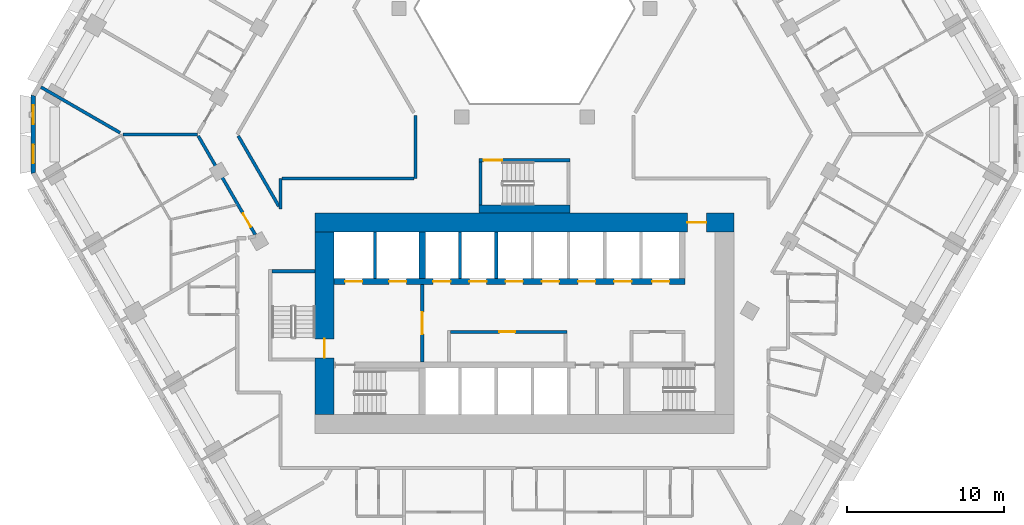
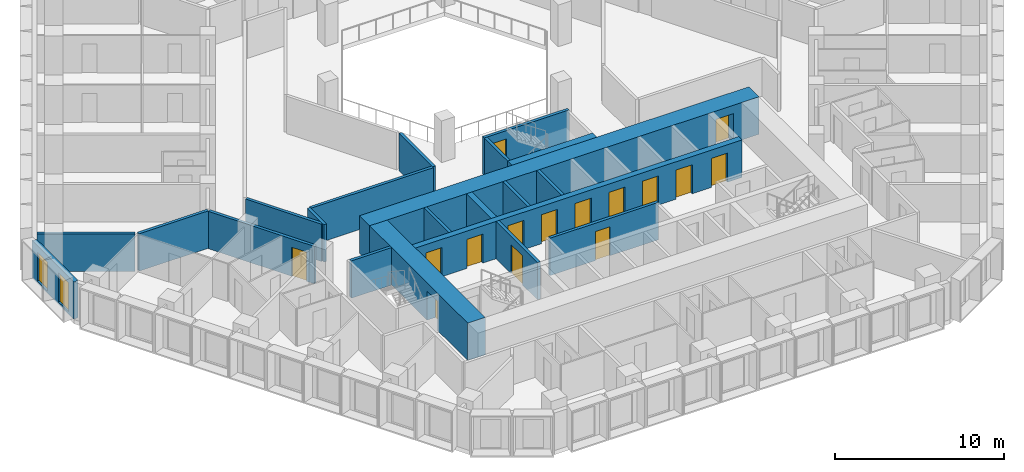
# One storey, part 5 of 21: 21 walls, 15 doors, 2 windows, 17 openings.
"""IFC4 building model written with IfcOpenShell, lengths in metres."""

from ifc_helpers import new_model, si_unit, direction, frame, frame_2d, origin, place, context, subcontext, project, spatial, polyline, rectangle, outline, extrude, material, layer, layer_set, type_object, element, fill, save


model = new_model("IFC4")

# Units and contexts
model_context = context("Model", 3, precision=1e-05, world=origin(), true_north=direction((0.0, 1.0)))
body_context = subcontext(model_context, "Body", "Model", "MODEL_VIEW")
ifc_project = project(units=[si_unit("LENGTHUNIT", "METRE"), si_unit("AREAUNIT", "SQUARE_METRE"), si_unit("VOLUMEUNIT", "CUBIC_METRE"), si_unit("PLANEANGLEUNIT", "RADIAN"), si_unit("MASSUNIT", "GRAM", prefix="KILO")], contexts=[model_context])

# Site, building, storey
site_placement = place(None, origin())
site = spatial("IfcSite", under=ifc_project, at=site_placement, CompositionType="ELEMENT")
building_placement = place(site_placement, origin())
building = spatial("IfcBuilding", under=site, at=building_placement, Name="Beryl Residences", CompositionType="ELEMENT")
storey_placement = place(building_placement, frame((0.0, 0.0, 47.39990234375)))
storey = spatial("IfcBuildingStorey", under=building, at=storey_placement, Name="L14", CompositionType="ELEMENT", Elevation=47.39990234375)

# Wall, openings, windows
ifc_material_1 = material(Name="Composite metal panel with mineral wool insulation")
ifc_layer_1 = layer(ifc_material_1, 0.300048828125)
ifc_layer_set_1 = layer_set([ifc_layer_1], Name="ES1 pale metal composite panel wall 300 mm")
wall_type_1 = type_object("IfcWallType", Name="ES1 pale metal composite panel wall 300 mm", PredefinedType="SOLIDWALL", material=ifc_layer_set_1)
wall_1_placement = place(storey_placement, frame((-31.199951171875, 2.5, 0.0), z_axis=(0.0, 0.0, 1.0), x_axis=(0.0, -1.0, 0.0)))
wall_1 = element("IfcWall", 1, at=wall_1_placement, inside=storey, type_object=wall_type_1, Name="ES1 external wall L14 NW-SW", PredefinedType="SOLIDWALL", context=body_context, shape_type="SweptSolid", body=[
    extrude(outline(polyline([(0.0, -0.14990234375), (5.0, -0.14990234375), (4.919677734375, 0.14990234375), (0.080322265625, 0.14990234375), (0.0, -0.14990234375)])), origin(), (0.0, 0.0, 1.0), 2.7001953125),
])
opening_1_placement = place(wall_1_placement, frame((0.64990234375, 0.0, 0.14990234375)))
opening_1 = element("IfcOpeningElement", 2, at=opening_1_placement, cuts=wall_1, Name="Opening W2", PredefinedType="OPENING", context=body_context, shape_type="SweptSolid", body=[
    extrude(rectangle(XDim=1.199951171875, YDim=2.10009765625, at=frame_2d((0.60009765625, 1.050048828125))), frame((0.0, 0.159912109375, 0.0), z_axis=(0.0, -1.0, 0.0), x_axis=(1.0, 0.0, 0.0)), (0.0, 0.0, 1.0), 0.320068359375),
])
opening_2_placement = place(wall_1_placement, frame((3.14990234375, 0.0, 0.14990234375)))
opening_2 = element("IfcOpeningElement", 3, at=opening_2_placement, cuts=wall_1, Name="Opening W2", PredefinedType="OPENING", context=body_context, shape_type="SweptSolid", body=[
    extrude(rectangle(XDim=1.199951171875, YDim=2.10009765625, at=frame_2d((0.60009765625, 1.050048828125))), frame((0.0, 0.159912109375, 0.0), z_axis=(0.0, -1.0, 0.0), x_axis=(1.0, 0.0, 0.0)), (0.0, 0.0, 1.0), 0.320068359375),
])
ifc_material_2 = material(Name="Aluminium and clear glass", Category="aluminium")
window_type = type_object("IfcWindowType", Name="W2 chamfer window 1200 x 2100 mm", PartitioningType="SINGLE_PANEL", PredefinedType="WINDOW", material=ifc_material_2)
window_1_placement = place(opening_1_placement, origin())
window_1 = element("IfcWindow", 4, at=window_1_placement, inside=storey, type_object=window_type, Name="W2 window L14 NW-SW 1", OverallHeight=2.10009765625, OverallWidth=1.199951171875, PartitioningType="SINGLE_PANEL", PredefinedType="WINDOW", context=body_context, shape_type="SweptSolid", body=[
    extrude(rectangle(XDim=1.199951171875, YDim=2.10009765625, at=frame_2d((0.60009765625, 1.050048828125))), frame((0.0, 0.030029296875, 0.0), z_axis=(0.0, -1.0, 0.0), x_axis=(1.0, 0.0, 0.0)), (0.0, 0.0, 1.0), 0.06005859375),
])
fill(opening_1, window_1)
window_2_placement = place(opening_2_placement, origin())
window_2 = element("IfcWindow", 5, at=window_2_placement, inside=storey, type_object=window_type, Name="W2 window L14 NW-SW 2", OverallHeight=2.10009765625, OverallWidth=1.199951171875, PartitioningType="SINGLE_PANEL", PredefinedType="WINDOW", context=body_context, shape_type="SweptSolid", body=[
    extrude(rectangle(XDim=1.199951171875, YDim=2.10009765625, at=frame_2d((0.60009765625, 1.050048828125))), frame((0.0, 0.030029296875, 0.0), z_axis=(0.0, -1.0, 0.0), x_axis=(1.0, 0.0, 0.0)), (0.0, 0.0, 1.0), 0.06005859375),
])
fill(opening_2, window_2)

# Wall, opening, door
ifc_material_3 = material(Name="Concrete masonry", Category="masonry")
ifc_layer_2 = layer(ifc_material_3, 0.199951171875)
ifc_layer_set_2 = layer_set([ifc_layer_2], Name="PT13 lobby wall 200 mm")
wall_type_2 = type_object("IfcWallType", Name="PT13 lobby wall 200 mm", PredefinedType="PARTITIONING", material=ifc_layer_set_2)
wall_2_placement = place(storey_placement, frame((-6.5, -14.449951171875, 0.0), z_axis=(0.0, 0.0, 1.0), x_axis=(0.0, 1.0, 0.0)))
wall_2 = element("IfcWall", 6, at=wall_2_placement, inside=storey, type_object=wall_type_2, Name="Lobby wall 06", PredefinedType="PARTITIONING", context=body_context, shape_type="SweptSolid", body=[
    extrude(rectangle(XDim=4.89990234375, YDim=0.199951171875, at=frame_2d((2.449951171875, 0.0))), origin(), (0.0, 0.0, 1.0), 2.7001953125),
])
opening_3_placement = place(wall_2_placement, frame((3.14990234375, 0.0, 0.0), z_axis=(0.0, 0.0, 1.0), x_axis=(-1.0, 0.0, 0.0)))
opening_3 = element("IfcOpeningElement", 7, at=opening_3_placement, cuts=wall_2, Name="Opening FD-FFL", PredefinedType="OPENING", context=body_context, shape_type="SweptSolid", body=[
    extrude(rectangle(XDim=1.39990234375, YDim=2.10009765625, at=frame_2d((0.699951171875, 1.050048828125))), frame((0.0, 0.10986328125, 0.0), z_axis=(0.0, -1.0, 0.0), x_axis=(1.0, 0.0, 0.0)), (0.0, 0.0, 1.0), 0.219970703125),
])
ifc_material_4 = material(Name="Steel door leaf in steel frame", Category="steel")
door_type_1 = type_object("IfcDoorType", Name="D5 lobby door 1400 x 2100 mm", OperationType="DOUBLE_DOOR_SINGLE_SWING", PredefinedType="DOOR", material=ifc_material_4)
door_1_placement = place(opening_3_placement, origin())
door_1 = element("IfcDoor", 8, at=door_1_placement, inside=storey, type_object=door_type_1, Name="Door FD-FFL L14 001", OperationType="DOUBLE_DOOR_SINGLE_SWING", OverallHeight=2.10009765625, OverallWidth=1.39990234375, PredefinedType="DOOR", context=body_context, shape_type="SweptSolid", body=[
    extrude(rectangle(XDim=1.39990234375, YDim=2.10009765625, at=frame_2d((0.699951171875, 1.050048828125))), frame((0.0, 0.02490234375, 0.0), z_axis=(0.0, -1.0, 0.0), x_axis=(1.0, 0.0, 0.0)), (0.0, 0.0, 1.0), 0.050048828125),
])
fill(opening_3, door_1)

wall_3_placement = place(storey_placement, frame((-4.699951171875, -12.550048828125, 0.0), z_axis=(0.0, 0.0, 1.0), x_axis=(1.0, 0.0, 0.0)))
wall_3 = element("IfcWall", 9, at=wall_3_placement, inside=storey, type_object=wall_type_2, Name="Lobby wall 08", PredefinedType="PARTITIONING", context=body_context, shape_type="SweptSolid", body=[
    extrude(rectangle(XDim=7.39990234375, YDim=0.199951171875, at=frame_2d((3.699951171875, 0.0))), origin(), (0.0, 0.0, 1.0), 2.7001953125),
])
opening_4_placement = place(wall_3_placement, frame((4.10009765625, 0.0, 0.0), z_axis=(0.0, 0.0, 1.0), x_axis=(-1.0, 0.0, 0.0)))
opening_4 = element("IfcOpeningElement", 10, at=opening_4_placement, cuts=wall_3, Name="Opening CD-D-A1", PredefinedType="OPENING", context=body_context, shape_type="SweptSolid", body=[
    extrude(rectangle(XDim=1.0, YDim=2.10009765625, at=frame_2d((0.5, 1.050048828125))), frame((0.0, 0.10986328125, 0.0), z_axis=(0.0, -1.0, 0.0), x_axis=(1.0, 0.0, 0.0)), (0.0, 0.0, 1.0), 0.219970703125),
])
ifc_material_5 = material(Name="Steel door leaf in steel frame", Category="steel")
door_type_2 = type_object("IfcDoorType", Name="D18 service room door 1000 x 2100 mm", OperationType="SINGLE_SWING_LEFT", PredefinedType="DOOR", material=ifc_material_5)
door_2_placement = place(opening_4_placement, origin())
door_2 = element("IfcDoor", 11, at=door_2_placement, inside=storey, type_object=door_type_2, Name="Door CD-D-A1 L14 001", OperationType="SINGLE_SWING_RIGHT", OverallHeight=2.10009765625, OverallWidth=1.0, PredefinedType="DOOR", context=body_context, shape_type="SweptSolid", body=[
    extrude(rectangle(XDim=1.0, YDim=2.10009765625, at=frame_2d((0.5, 1.050048828125))), frame((0.0, 0.02490234375, 0.0), z_axis=(0.0, -1.0, 0.0), x_axis=(1.0, 0.0, 0.0)), (0.0, 0.0, 1.0), 0.050048828125),
])
fill(opening_4, door_2)

# Walls
ifc_material_6 = material(Name="Acoustic double stud gypsum board wall")
ifc_layer_3 = layer(ifc_material_6, 0.199951171875)
ifc_layer_set_3 = layer_set([ifc_layer_3], Name="PT3 party wall 200 mm acoustic double stud")
wall_type_3 = type_object("IfcWallType", Name="PT3 party wall 200 mm acoustic double stud", PredefinedType="PARTITIONING", material=ifc_layer_set_3)
wall_4_placement = place(storey_placement, frame((-30.716064453125, 2.9990234375, 0.0), z_axis=(0.0, 0.0, 1.0), x_axis=(0.866032775405, -0.499987231761, 0.0)))
element("IfcWall", 12, at=wall_4_placement, inside=storey, type_object=wall_type_3, Name="Wall PT3 L14 009", PredefinedType="PARTITIONING", context=body_context, shape_type="SweptSolid", body=[
    extrude(rectangle(XDim=5.800048828125, YDim=0.199951171875, at=frame_2d((2.89990234375, 0.0))), origin(), (0.0, 0.0, 1.0), 2.7001953125),
])
wall_5_placement = place(storey_placement, frame((-25.52001953125, -0.0009765625, 0.0), z_axis=(0.0, 0.0, 1.0), x_axis=(1.0, 0.0, 0.0)))
element("IfcWall", 13, at=wall_5_placement, inside=storey, type_object=wall_type_3, Name="Wall PT3 L14 014", PredefinedType="PARTITIONING", context=body_context, shape_type="SweptSolid", body=[
    extrude(rectangle(XDim=4.736083984375, YDim=0.199951171875, at=frame_2d((2.3681640625, 0.0))), origin(), (0.0, 0.0, 1.0), 2.7001953125),
])
ifc_material_7 = material(Name="Double stud gypsum board wall")
ifc_layer_4 = layer(ifc_material_7, 0.199951171875)
ifc_layer_set_4 = layer_set([ifc_layer_4], Name="PT4 corridor wall 200 mm double stud")
wall_type_4 = type_object("IfcWallType", Name="PT4 corridor wall 200 mm double stud", PredefinedType="PARTITIONING", material=ifc_layer_set_4)
wall_6_placement = place(storey_placement, frame((-18.18603515625, -0.10107421875, 0.0), z_axis=(0.0, 0.0, 1.0), x_axis=(0.499997591167, -0.86602679452, 0.0)))
element("IfcWall", 14, at=wall_6_placement, inside=storey, type_object=wall_type_4, Name="Wall PT4 L14 002", PredefinedType="PARTITIONING", context=body_context, shape_type="SweptSolid", body=[
    extrude(rectangle(XDim=5.171875, YDim=0.199951171875, at=frame_2d((2.5859375, 0.0))), origin(), (0.0, 0.0, 1.0), 2.7001953125),
])

# Wall, opening, door
wall_7_placement = place(storey_placement, frame((-20.72705078125, -0.10107421875, 0.0), z_axis=(0.0, 0.0, 1.0), x_axis=(0.500070814966, -0.865984514884, 0.0)))
wall_7 = element("IfcWall", 15, at=wall_7_placement, inside=storey, type_object=wall_type_4, Name="Wall PT4 L14 003", PredefinedType="PARTITIONING", context=body_context, shape_type="SweptSolid", body=[
    extrude(rectangle(XDim=7.2392578125, YDim=0.199951171875, at=frame_2d((3.61962890625, 0.0))), origin(), (0.0, 0.0, 1.0), 2.7001953125),
])
opening_5_placement = place(wall_7_placement, frame((5.680908203125, 0.0, 0.0)))
opening_5 = element("IfcOpeningElement", 16, at=opening_5_placement, cuts=wall_7, Name="Opening D0211", PredefinedType="OPENING", context=body_context, shape_type="SweptSolid", body=[
    extrude(rectangle(XDim=1.0, YDim=2.10009765625, at=frame_2d((0.5, 1.050048828125))), frame((0.0, 0.10986328125, 0.0), z_axis=(0.0, -1.0, 0.0), x_axis=(1.0, 0.0, 0.0)), (0.0, 0.0, 1.0), 0.219970703125),
])
ifc_material_8 = material(Name="Timber door leaf", Category="wood")
door_type_3 = type_object("IfcDoorType", Name="D1 flat entrance door 1000 x 2100 mm", OperationType="SINGLE_SWING_LEFT", PredefinedType="DOOR", material=ifc_material_8)
door_3_placement = place(opening_5_placement, origin())
door_3 = element("IfcDoor", 17, at=door_3_placement, inside=storey, type_object=door_type_3, Name="Door D0211 L14 001", OperationType="SINGLE_SWING_LEFT", OverallHeight=2.10009765625, OverallWidth=1.0, PredefinedType="DOOR", context=body_context, shape_type="SweptSolid", body=[
    extrude(rectangle(XDim=1.0, YDim=2.10009765625, at=frame_2d((0.5, 1.050048828125))), frame((0.0, 0.02490234375, 0.0), z_axis=(0.0, -1.0, 0.0), x_axis=(1.0, 0.0, 0.0)), (0.0, 0.0, 1.0), 0.050048828125),
])
fill(opening_5, door_3)

# Walls
wall_8_placement = place(storey_placement, frame((-15.39990234375, -2.800048828125, 0.0), z_axis=(0.0, 0.0, 1.0), x_axis=(1.0, 0.0, 0.0)))
element("IfcWall", 18, at=wall_8_placement, inside=storey, type_object=wall_type_4, Name="Wall PT4 L14 015", PredefinedType="PARTITIONING", context=body_context, shape_type="SweptSolid", body=[
    extrude(rectangle(XDim=8.371826171875, YDim=0.199951171875, at=frame_2d((4.18603515625, 0.0))), origin(), (0.0, 0.0, 1.0), 2.7001953125),
])
wall_9_placement = place(storey_placement, frame((-6.927978515625, -2.800048828125, 0.0), z_axis=(0.0, 0.0, 1.0), x_axis=(0.0, 1.0, 0.0)))
element("IfcWall", 19, at=wall_9_placement, inside=storey, type_object=wall_type_4, Name="Wall PT4 L14 032", PredefinedType="PARTITIONING", context=body_context, shape_type="SweptSolid", body=[
    extrude(rectangle(XDim=4.0, YDim=0.199951171875, at=frame_2d((2.0, 0.0))), origin(), (0.0, 0.0, 1.0), 2.7001953125),
])
wall_10_placement = place(storey_placement, frame((-15.5, -4.75390625, 0.0), z_axis=(0.0, 0.0, 1.0), x_axis=(0.0, 1.0, 0.0)))
element("IfcWall", 20, at=wall_10_placement, inside=storey, type_object=wall_type_4, Name="Wall PT4 L14 033", PredefinedType="PARTITIONING", context=body_context, shape_type="SweptSolid", body=[
    extrude(rectangle(XDim=1.953857421875, YDim=0.199951171875, at=frame_2d((0.97705078125, 0.0))), origin(), (0.0, 0.0, 1.0), 2.7001953125),
])

# Wall, opening, door
ifc_material_9 = material(Name="Concrete C40/50", Category="concrete")
ifc_layer_5 = layer(ifc_material_9, 0.199951171875)
ifc_layer_set_5 = layer_set([ifc_layer_5], Name="PT5 stair enclosure wall 200 mm reinforced concrete C40/50")
wall_type_5 = type_object("IfcWallType", Name="PT5 stair enclosure wall 200 mm reinforced concrete C40/50", PredefinedType="SOLIDWALL", material=ifc_layer_set_5)
wall_11_placement = place(storey_placement, frame((-2.89990234375, -1.64990234375, 0.0), z_axis=(0.0, 0.0, 1.0), x_axis=(1.0, 0.0, 0.0)))
wall_11 = element("IfcWall", 21, at=wall_11_placement, inside=storey, type_object=wall_type_5, Name="Wall PT5 L14 001", PredefinedType="SOLIDWALL", context=body_context, shape_type="SweptSolid", body=[
    extrude(rectangle(XDim=5.7998046875, YDim=0.199951171875, at=frame_2d((2.89990234375, 0.0))), origin(), (0.0, 0.0, 1.0), 2.7001953125),
])
opening_6_placement = place(wall_11_placement, frame((0.300048828125, 0.0, 0.0)))
opening_6 = element("IfcOpeningElement", 22, at=opening_6_placement, cuts=wall_11, Name="Opening DS04", PredefinedType="OPENING", context=body_context, shape_type="SweptSolid", body=[
    extrude(rectangle(XDim=1.199951171875, YDim=2.10009765625, at=frame_2d((0.60009765625, 1.050048828125))), frame((0.0, 0.10986328125, 0.0), z_axis=(0.0, -1.0, 0.0), x_axis=(1.0, 0.0, 0.0)), (0.0, 0.0, 1.0), 0.219970703125),
])
ifc_material_10 = material(Name="Steel door leaf in steel frame", Category="steel")
door_type_4 = type_object("IfcDoorType", Name="D4 stair door 1200 x 2100 mm", OperationType="SINGLE_SWING_LEFT", PredefinedType="DOOR", material=ifc_material_10)
door_4_placement = place(opening_6_placement, origin())
door_4 = element("IfcDoor", 23, at=door_4_placement, inside=storey, type_object=door_type_4, Name="Door DS04 L14 001", OperationType="SINGLE_SWING_LEFT", OverallHeight=2.10009765625, OverallWidth=1.199951171875, PredefinedType="DOOR", context=body_context, shape_type="SweptSolid", body=[
    extrude(rectangle(XDim=1.199951171875, YDim=2.10009765625, at=frame_2d((0.60009765625, 1.050048828125))), frame((0.0, 0.02490234375, 0.0), z_axis=(0.0, -1.0, 0.0), x_axis=(1.0, 0.0, 0.0)), (0.0, 0.0, 1.0), 0.050048828125),
])
fill(opening_6, door_4)

# Walls
for number, where, z_axis, x_axis, name in (
    (24, (-2.800048828125, -4.5, 0.0), (0.0, 0.0, 1.0), (0.0, 1.0, 0.0), "Wall PT5 L14 002"),
    (25, (-16.050048828125, -8.699951171875, 0.0), (0.0, 0.0, 1.0), (1.0, 0.0, 0.0), "Stair wall 03"),
):
    element("IfcWall", number, at=place(storey_placement, frame(where, z_axis=z_axis, x_axis=x_axis)), inside=storey, type_object=wall_type_5, Name=name, PredefinedType="SOLIDWALL", context=body_context, shape_type="SweptSolid", body=[
        extrude(rectangle(XDim=2.75, YDim=0.199951171875, at=frame_2d((1.375, 0.0))), origin(), (0.0, 0.0, 1.0), 2.7001953125),
    ])
ifc_material_11 = material(Name="Concrete C40/50", Category="concrete")
ifc_layer_6 = layer(ifc_material_11, 0.5)
ifc_layer_set_6 = layer_set([ifc_layer_6], Name="PT5-500 stair enclosure wall 500 mm")
wall_type_6 = type_object("IfcWallType", Name="PT5-500 stair enclosure wall 500 mm", PredefinedType="SOLIDWALL", material=ifc_layer_set_6)
wall_12_placement = place(storey_placement, frame((-2.89990234375, -4.75, 0.0), z_axis=(0.0, 0.0, 1.0), x_axis=(1.0, 0.0, 0.0)))
element("IfcWall", 26, at=wall_12_placement, inside=storey, type_object=wall_type_6, Name="Wall PT5-500 L14 001", PredefinedType="SOLIDWALL", context=body_context, shape_type="SweptSolid", body=[
    extrude(rectangle(XDim=5.7998046875, YDim=0.5, at=frame_2d((2.89990234375, 0.0))), origin(), (0.0, 0.0, 1.0), 2.7001953125),
])
ifc_material_12 = material(Name="Concrete C40/50", Category="concrete")
ifc_layer_7 = layer(ifc_material_12, 0.199951171875)
ifc_layer_set_7 = layer_set([ifc_layer_7], Name="PT6 lift shaft wall 200 mm reinforced concrete C40/50")
wall_type_7 = type_object("IfcWallType", Name="PT6 lift shaft wall 200 mm reinforced concrete C40/50", PredefinedType="SOLIDWALL", material=ifc_layer_set_7)
for number, where, z_axis, x_axis, name in (
    (27, (-9.5, -9.14990234375, 0.0), (0.0, 0.0, 1.0), (0.0, 1.0, 0.0), "Lift shaft wall 05"),
    (28, (-4.10009765625, -9.14990234375, 0.0), (0.0, 0.0, 1.0), (0.0, 1.0, 0.0), "Lift shaft wall 10"),
    (29, (-1.800048828125, -9.14990234375, 0.0), (0.0, 0.0, 1.0), (0.0, 1.0, 0.0), "Lift shaft wall 12"),
):
    element("IfcWall", number, at=place(storey_placement, frame(where, z_axis=z_axis, x_axis=x_axis)), inside=storey, type_object=wall_type_7, Name=name, PredefinedType="SOLIDWALL", context=body_context, shape_type="SweptSolid", body=[
        extrude(rectangle(XDim=2.949951171875, YDim=0.199951171875, at=frame_2d((1.47509765625, 0.0))), origin(), (0.0, 0.0, 1.0), 2.7001953125),
    ])

# Wall, opening, door
ifc_material_13 = material(Name="Concrete C80/95", Category="concrete")
ifc_layer_8 = layer(ifc_material_13, 1.199951171875)
ifc_layer_set_8 = layer_set([ifc_layer_8], Name="SW1 core outer wall 1200 mm C80/95")
wall_type_8 = type_object("IfcWallType", Name="SW1 core outer wall 1200 mm C80/95", PredefinedType="SHEAR", material=ifc_layer_set_8)
wall_13_placement = place(storey_placement, frame((-13.300048828125, -5.60009765625, 0.0), z_axis=(0.0, 0.0, 1.0), x_axis=(1.0, 0.0, 0.0)))
wall_13 = element("IfcWall", 30, at=wall_13_placement, inside=storey, type_object=wall_type_8, Name="Core wall N L14", PredefinedType="SHEAR", context=body_context, shape_type="SweptSolid", body=[
    extrude(rectangle(XDim=26.60009765625, YDim=1.199951171875, at=frame_2d((13.300048828125, 0.0))), origin(), (0.0, 0.0, 1.0), 2.7001953125),
])
opening_7_placement = place(wall_13_placement, frame((23.64990234375, 0.0, 0.0)))
opening_7 = element("IfcOpeningElement", 31, at=opening_7_placement, cuts=wall_13, Name="Opening FD-NORTH", PredefinedType="OPENING", context=body_context, shape_type="SweptSolid", body=[
    extrude(rectangle(XDim=1.199951171875, YDim=2.10009765625, at=frame_2d((0.60009765625, 1.050048828125))), frame((0.0, 0.60986328125, 0.0), z_axis=(0.0, -1.0, 0.0), x_axis=(1.0, 0.0, 0.0)), (0.0, 0.0, 1.0), 1.219970703125),
])
ifc_material_14 = material(Name="Steel door leaf in steel frame", Category="steel")
door_type_5 = type_object("IfcDoorType", Name="D22 lobby door 1200 x 2100 mm", OperationType="DOUBLE_DOOR_SINGLE_SWING", PredefinedType="DOOR", material=ifc_material_14)
door_5_placement = place(opening_7_placement, origin())
door_5 = element("IfcDoor", 32, at=door_5_placement, inside=storey, type_object=door_type_5, Name="Door FD-NORTH L14 001", OperationType="DOUBLE_DOOR_SINGLE_SWING", OverallHeight=2.10009765625, OverallWidth=1.199951171875, PredefinedType="DOOR", context=body_context, shape_type="SweptSolid", body=[
    extrude(rectangle(XDim=1.199951171875, YDim=2.10009765625, at=frame_2d((0.60009765625, 1.050048828125))), frame((0.0, 0.02490234375, 0.0), z_axis=(0.0, -1.0, 0.0), x_axis=(1.0, 0.0, 0.0)), (0.0, 0.0, 1.0), 0.050048828125),
])
fill(opening_7, door_5)

wall_14_placement = place(storey_placement, frame((-12.699951171875, -17.800048828125, 0.0), z_axis=(0.0, 0.0, 1.0), x_axis=(0.0, 1.0, 0.0)))
wall_14 = element("IfcWall", 33, at=wall_14_placement, inside=storey, type_object=wall_type_8, Name="Core wall W L14", PredefinedType="SHEAR", context=body_context, shape_type="SweptSolid", body=[
    extrude(rectangle(XDim=11.60009765625, YDim=1.199951171875, at=frame_2d((5.800048828125, 0.0))), origin(), (0.0, 0.0, 1.0), 2.7001953125),
])
opening_8_placement = place(wall_14_placement, frame((3.60009765625, 0.0, 0.0)))
opening_8 = element("IfcOpeningElement", 34, at=opening_8_placement, cuts=wall_14, Name="Opening SD-2", PredefinedType="OPENING", context=body_context, shape_type="SweptSolid", body=[
    extrude(rectangle(XDim=1.199951171875, YDim=2.10009765625, at=frame_2d((0.60009765625, 1.050048828125))), frame((0.0, 0.60986328125, 0.0), z_axis=(0.0, -1.0, 0.0), x_axis=(1.0, 0.0, 0.0)), (0.0, 0.0, 1.0), 1.219970703125),
])
door_6_placement = place(opening_8_placement, origin())
door_6 = element("IfcDoor", 35, at=door_6_placement, inside=storey, type_object=door_type_4, Name="Door SD-2 L14 001", OperationType="SINGLE_SWING_RIGHT", OverallHeight=2.10009765625, OverallWidth=1.199951171875, PredefinedType="DOOR", context=body_context, shape_type="SweptSolid", body=[
    extrude(rectangle(XDim=1.199951171875, YDim=2.10009765625, at=frame_2d((0.60009765625, 1.050048828125))), frame((0.0, 0.02490234375, 0.0), z_axis=(0.0, -1.0, 0.0), x_axis=(1.0, 0.0, 0.0)), (0.0, 0.0, 1.0), 0.050048828125),
])
fill(opening_8, door_6)

# Wall, openings, doors
ifc_material_15 = material(Name="Concrete C80/95", Category="concrete")
ifc_layer_9 = layer(ifc_material_15, 0.39990234375)
ifc_layer_set_9 = layer_set([ifc_layer_9], Name="SW6 core internal wall 400 mm C80/95")
wall_type_9 = type_object("IfcWallType", Name="SW6 core internal wall 400 mm C80/95", PredefinedType="SHEAR", material=ifc_layer_set_9)
wall_15_placement = place(storey_placement, frame((-12.10009765625, -9.35009765625, 0.0), z_axis=(0.0, 0.0, 1.0), x_axis=(1.0, 0.0, 0.0)))
wall_15 = element("IfcWall", 36, at=wall_15_placement, inside=storey, type_object=wall_type_9, Name="Core wall SP2 L14", PredefinedType="SHEAR", context=body_context, shape_type="SweptSolid", body=[
    extrude(rectangle(XDim=22.300048828125, YDim=0.39990234375, at=frame_2d((11.14990234375, 0.0))), origin(), (0.0, 0.0, 1.0), 2.7001953125),
])
opening_9_placement = place(wall_15_placement, frame((0.699951171875, 0.0, 0.0)))
opening_9 = element("IfcOpeningElement", 37, at=opening_9_placement, cuts=wall_15, Name="Opening LD-FF1", PredefinedType="OPENING", context=body_context, shape_type="SweptSolid", body=[
    extrude(rectangle(XDim=1.10009765625, YDim=2.10009765625, at=frame_2d((0.550048828125, 1.050048828125))), frame((0.0, 0.2099609375, 0.0), z_axis=(0.0, -1.0, 0.0), x_axis=(1.0, 0.0, 0.0)), (0.0, 0.0, 1.0), 0.419921875),
])
opening_10_placement = place(wall_15_placement, frame((3.5, 0.0, 0.0)))
opening_10 = element("IfcOpeningElement", 38, at=opening_10_placement, cuts=wall_15, Name="Opening LD-FF2", PredefinedType="OPENING", context=body_context, shape_type="SweptSolid", body=[
    extrude(rectangle(XDim=1.10009765625, YDim=2.10009765625, at=frame_2d((0.550048828125, 1.050048828125))), frame((0.0, 0.2099609375, 0.0), z_axis=(0.0, -1.0, 0.0), x_axis=(1.0, 0.0, 0.0)), (0.0, 0.0, 1.0), 0.419921875),
])
opening_11_placement = place(wall_15_placement, frame((6.300048828125, 0.0, 0.0)))
opening_11 = element("IfcOpeningElement", 39, at=opening_11_placement, cuts=wall_15, Name="Opening LD-LR1", PredefinedType="OPENING", context=body_context, shape_type="SweptSolid", body=[
    extrude(rectangle(XDim=1.10009765625, YDim=2.10009765625, at=frame_2d((0.550048828125, 1.050048828125))), frame((0.0, 0.2099609375, 0.0), z_axis=(0.0, -1.0, 0.0), x_axis=(1.0, 0.0, 0.0)), (0.0, 0.0, 1.0), 0.419921875),
])
opening_12_placement = place(wall_15_placement, frame((8.60009765625, 0.0, 0.0)))
opening_12 = element("IfcOpeningElement", 40, at=opening_12_placement, cuts=wall_15, Name="Opening LD-LR2", PredefinedType="OPENING", context=body_context, shape_type="SweptSolid", body=[
    extrude(rectangle(XDim=1.10009765625, YDim=2.10009765625, at=frame_2d((0.550048828125, 1.050048828125))), frame((0.0, 0.2099609375, 0.0), z_axis=(0.0, -1.0, 0.0), x_axis=(1.0, 0.0, 0.0)), (0.0, 0.0, 1.0), 0.419921875),
])
opening_13_placement = place(wall_15_placement, frame((10.89990234375, 0.0, 0.0)))
opening_13 = element("IfcOpeningElement", 41, at=opening_13_placement, cuts=wall_15, Name="Opening LD-LR3", PredefinedType="OPENING", context=body_context, shape_type="SweptSolid", body=[
    extrude(rectangle(XDim=1.10009765625, YDim=2.10009765625, at=frame_2d((0.550048828125, 1.050048828125))), frame((0.0, 0.2099609375, 0.0), z_axis=(0.0, -1.0, 0.0), x_axis=(1.0, 0.0, 0.0)), (0.0, 0.0, 1.0), 0.419921875),
])
opening_14_placement = place(wall_15_placement, frame((13.199951171875, 0.0, 0.0)))
opening_14 = element("IfcOpeningElement", 42, at=opening_14_placement, cuts=wall_15, Name="Opening LD-LR4", PredefinedType="OPENING", context=body_context, shape_type="SweptSolid", body=[
    extrude(rectangle(XDim=1.10009765625, YDim=2.10009765625, at=frame_2d((0.550048828125, 1.050048828125))), frame((0.0, 0.2099609375, 0.0), z_axis=(0.0, -1.0, 0.0), x_axis=(1.0, 0.0, 0.0)), (0.0, 0.0, 1.0), 0.419921875),
])
opening_15_placement = place(wall_15_placement, frame((15.5, 0.0, 0.0)))
opening_15 = element("IfcOpeningElement", 43, at=opening_15_placement, cuts=wall_15, Name="Opening LD-LR5", PredefinedType="OPENING", context=body_context, shape_type="SweptSolid", body=[
    extrude(rectangle(XDim=1.10009765625, YDim=2.10009765625, at=frame_2d((0.550048828125, 1.050048828125))), frame((0.0, 0.2099609375, 0.0), z_axis=(0.0, -1.0, 0.0), x_axis=(1.0, 0.0, 0.0)), (0.0, 0.0, 1.0), 0.419921875),
])
opening_16_placement = place(wall_15_placement, frame((17.800048828125, 0.0, 0.0)))
opening_16 = element("IfcOpeningElement", 44, at=opening_16_placement, cuts=wall_15, Name="Opening LD-LR6", PredefinedType="OPENING", context=body_context, shape_type="SweptSolid", body=[
    extrude(rectangle(XDim=1.10009765625, YDim=2.10009765625, at=frame_2d((0.550048828125, 1.050048828125))), frame((0.0, 0.2099609375, 0.0), z_axis=(0.0, -1.0, 0.0), x_axis=(1.0, 0.0, 0.0)), (0.0, 0.0, 1.0), 0.419921875),
])
opening_17_placement = place(wall_15_placement, frame((20.199951171875, 0.0, 0.0)))
opening_17 = element("IfcOpeningElement", 45, at=opening_17_placement, cuts=wall_15, Name="Opening LD-SL1", PredefinedType="OPENING", context=body_context, shape_type="SweptSolid", body=[
    extrude(rectangle(XDim=1.10009765625, YDim=2.10009765625, at=frame_2d((0.550048828125, 1.050048828125))), frame((0.0, 0.2099609375, 0.0), z_axis=(0.0, -1.0, 0.0), x_axis=(1.0, 0.0, 0.0)), (0.0, 0.0, 1.0), 0.419921875),
])
ifc_material_16 = material(Name="Stainless steel sliding door", Category="steel")
door_type_6 = type_object("IfcDoorType", Name="LD1 lift landing door 1100 x 2100 mm", OperationType="DOUBLE_DOOR_SLIDING", PredefinedType="DOOR", material=ifc_material_16)
door_7_placement = place(opening_9_placement, origin())
door_7 = element("IfcDoor", 46, at=door_7_placement, inside=storey, type_object=door_type_6, Name="Lift landing door FF1", OperationType="DOUBLE_DOOR_SLIDING", OverallHeight=2.10009765625, OverallWidth=1.10009765625, PredefinedType="DOOR", context=body_context, shape_type="SweptSolid", body=[
    extrude(rectangle(XDim=1.10009765625, YDim=2.10009765625, at=frame_2d((0.550048828125, 1.050048828125))), frame((0.0, 0.02490234375, 0.0), z_axis=(0.0, -1.0, 0.0), x_axis=(1.0, 0.0, 0.0)), (0.0, 0.0, 1.0), 0.050048828125),
])
fill(opening_9, door_7)
door_8_placement = place(opening_10_placement, origin())
door_8 = element("IfcDoor", 47, at=door_8_placement, inside=storey, type_object=door_type_6, Name="Lift landing door FF2", OperationType="DOUBLE_DOOR_SLIDING", OverallHeight=2.10009765625, OverallWidth=1.10009765625, PredefinedType="DOOR", context=body_context, shape_type="SweptSolid", body=[
    extrude(rectangle(XDim=1.10009765625, YDim=2.10009765625, at=frame_2d((0.550048828125, 1.050048828125))), frame((0.0, 0.02490234375, 0.0), z_axis=(0.0, -1.0, 0.0), x_axis=(1.0, 0.0, 0.0)), (0.0, 0.0, 1.0), 0.050048828125),
])
fill(opening_10, door_8)
door_9_placement = place(opening_11_placement, origin())
door_9 = element("IfcDoor", 48, at=door_9_placement, inside=storey, type_object=door_type_6, Name="Lift landing door LR1", OperationType="DOUBLE_DOOR_SLIDING", OverallHeight=2.10009765625, OverallWidth=1.10009765625, PredefinedType="DOOR", context=body_context, shape_type="SweptSolid", body=[
    extrude(rectangle(XDim=1.10009765625, YDim=2.10009765625, at=frame_2d((0.550048828125, 1.050048828125))), frame((0.0, 0.02490234375, 0.0), z_axis=(0.0, -1.0, 0.0), x_axis=(1.0, 0.0, 0.0)), (0.0, 0.0, 1.0), 0.050048828125),
])
fill(opening_11, door_9)
door_10_placement = place(opening_12_placement, origin())
door_10 = element("IfcDoor", 49, at=door_10_placement, inside=storey, type_object=door_type_6, Name="Lift landing door LR2", OperationType="DOUBLE_DOOR_SLIDING", OverallHeight=2.10009765625, OverallWidth=1.10009765625, PredefinedType="DOOR", context=body_context, shape_type="SweptSolid", body=[
    extrude(rectangle(XDim=1.10009765625, YDim=2.10009765625, at=frame_2d((0.550048828125, 1.050048828125))), frame((0.0, 0.02490234375, 0.0), z_axis=(0.0, -1.0, 0.0), x_axis=(1.0, 0.0, 0.0)), (0.0, 0.0, 1.0), 0.050048828125),
])
fill(opening_12, door_10)
door_11_placement = place(opening_13_placement, origin())
door_11 = element("IfcDoor", 50, at=door_11_placement, inside=storey, type_object=door_type_6, Name="Lift landing door LR3", OperationType="DOUBLE_DOOR_SLIDING", OverallHeight=2.10009765625, OverallWidth=1.10009765625, PredefinedType="DOOR", context=body_context, shape_type="SweptSolid", body=[
    extrude(rectangle(XDim=1.10009765625, YDim=2.10009765625, at=frame_2d((0.550048828125, 1.050048828125))), frame((0.0, 0.02490234375, 0.0), z_axis=(0.0, -1.0, 0.0), x_axis=(1.0, 0.0, 0.0)), (0.0, 0.0, 1.0), 0.050048828125),
])
fill(opening_13, door_11)
door_12_placement = place(opening_14_placement, origin())
door_12 = element("IfcDoor", 51, at=door_12_placement, inside=storey, type_object=door_type_6, Name="Lift landing door LR4", OperationType="DOUBLE_DOOR_SLIDING", OverallHeight=2.10009765625, OverallWidth=1.10009765625, PredefinedType="DOOR", context=body_context, shape_type="SweptSolid", body=[
    extrude(rectangle(XDim=1.10009765625, YDim=2.10009765625, at=frame_2d((0.550048828125, 1.050048828125))), frame((0.0, 0.02490234375, 0.0), z_axis=(0.0, -1.0, 0.0), x_axis=(1.0, 0.0, 0.0)), (0.0, 0.0, 1.0), 0.050048828125),
])
fill(opening_14, door_12)
door_13_placement = place(opening_15_placement, origin())
door_13 = element("IfcDoor", 52, at=door_13_placement, inside=storey, type_object=door_type_6, Name="Lift landing door LR5", OperationType="DOUBLE_DOOR_SLIDING", OverallHeight=2.10009765625, OverallWidth=1.10009765625, PredefinedType="DOOR", context=body_context, shape_type="SweptSolid", body=[
    extrude(rectangle(XDim=1.10009765625, YDim=2.10009765625, at=frame_2d((0.550048828125, 1.050048828125))), frame((0.0, 0.02490234375, 0.0), z_axis=(0.0, -1.0, 0.0), x_axis=(1.0, 0.0, 0.0)), (0.0, 0.0, 1.0), 0.050048828125),
])
fill(opening_15, door_13)
door_14_placement = place(opening_16_placement, origin())
door_14 = element("IfcDoor", 53, at=door_14_placement, inside=storey, type_object=door_type_6, Name="Lift landing door LR6", OperationType="DOUBLE_DOOR_SLIDING", OverallHeight=2.10009765625, OverallWidth=1.10009765625, PredefinedType="DOOR", context=body_context, shape_type="SweptSolid", body=[
    extrude(rectangle(XDim=1.10009765625, YDim=2.10009765625, at=frame_2d((0.550048828125, 1.050048828125))), frame((0.0, 0.02490234375, 0.0), z_axis=(0.0, -1.0, 0.0), x_axis=(1.0, 0.0, 0.0)), (0.0, 0.0, 1.0), 0.050048828125),
])
fill(opening_16, door_14)
door_15_placement = place(opening_17_placement, origin())
door_15 = element("IfcDoor", 54, at=door_15_placement, inside=storey, type_object=door_type_6, Name="Lift landing door SL1", OperationType="DOUBLE_DOOR_SLIDING", OverallHeight=2.10009765625, OverallWidth=1.10009765625, PredefinedType="DOOR", context=body_context, shape_type="SweptSolid", body=[
    extrude(rectangle(XDim=1.10009765625, YDim=2.10009765625, at=frame_2d((0.550048828125, 1.050048828125))), frame((0.0, 0.02490234375, 0.0), z_axis=(0.0, -1.0, 0.0), x_axis=(1.0, 0.0, 0.0)), (0.0, 0.0, 1.0), 0.050048828125),
])
fill(opening_17, door_15)

# Wall
wall_16_placement = place(storey_placement, frame((-6.5, -9.14990234375, 0.0), z_axis=(0.0, 0.0, 1.0), x_axis=(0.0, 1.0, 0.0)))
element("IfcWall", 55, at=wall_16_placement, inside=storey, type_object=wall_type_9, Name="Core wall XN1 L14", PredefinedType="SHEAR", context=body_context, shape_type="SweptSolid", body=[
    extrude(rectangle(XDim=2.949951171875, YDim=0.39990234375, at=frame_2d((1.47509765625, 0.0))), origin(), (0.0, 0.0, 1.0), 2.7001953125),
])

save(model, "model.ifc")
